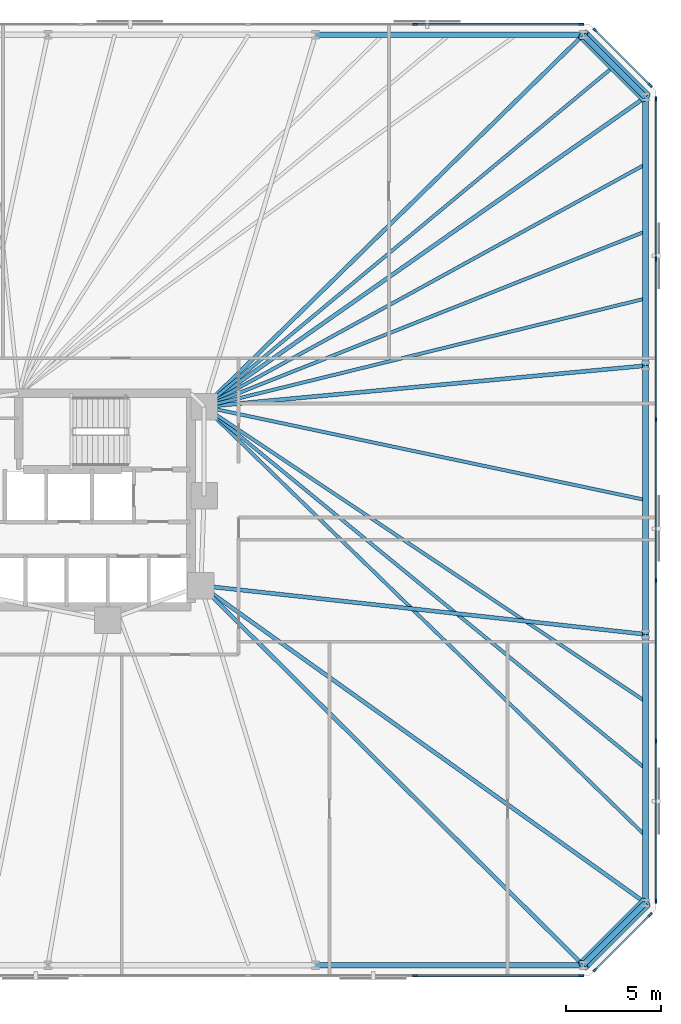
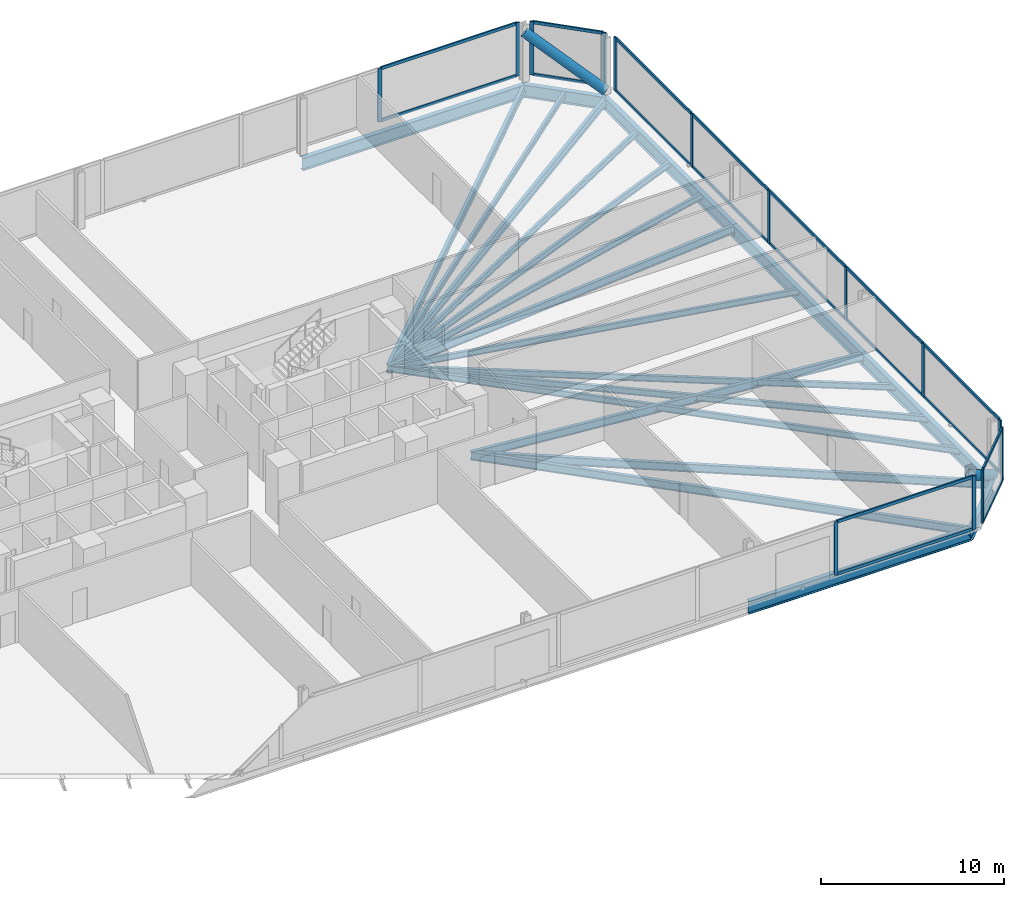
# One storey, part 10 of 17: 34 members, 21 beams, 5 elements without a shape of their own.
"""IFC4 building model written with IfcOpenShell, lengths in metres."""

from ifc_helpers import new_model, si_unit, direction, frame, origin, origin_2d, place, context, subcontext, project, spatial, rectangle, hollow_circle, i_section, extrude, material, material_profile, profile_set, type_object, element, aggregate, save


model = new_model("IFC4")

# Units and contexts
model_context = context("Model", 3, precision=1e-05, world=origin(), true_north=direction((0.0, 1.0)))
body_context = subcontext(model_context, "Body", "Model", "MODEL_VIEW")
ifc_project = project(units=[si_unit("LENGTHUNIT", "METRE"), si_unit("AREAUNIT", "SQUARE_METRE"), si_unit("VOLUMEUNIT", "CUBIC_METRE"), si_unit("PLANEANGLEUNIT", "RADIAN"), si_unit("MASSUNIT", "GRAM", prefix="KILO")], contexts=[model_context])

# Site, building, storey
site_placement = place(None, origin())
site = spatial("IfcSite", under=ifc_project, at=site_placement, CompositionType="ELEMENT")
building_placement = place(site_placement, origin())
building = spatial("IfcBuilding", under=site, at=building_placement, Name="Menara Jurai Vektor", CompositionType="ELEMENT")
storey_placement = place(building_placement, frame((0.0, 0.0, 29.39990234375)))
storey = spatial("IfcBuildingStorey", under=building, at=storey_placement, Name="L06", CompositionType="ELEMENT", Elevation=29.39990234375)

# Curtain wall, members
ifc_material_1 = material(Name="Anodised Pale Aluminium & Low-E Double Glazing", Category="aluminium")
curtain_wall_type = type_object("IfcCurtainWallType", Name="CW-BLK1", PredefinedType="NOTDEFINED", material=ifc_material_1)
curtain_wall_1_placement = place(storey_placement, origin())
curtain_wall_1 = element("IfcCurtainWall", 1, at=curtain_wall_1_placement, inside=storey, type_object=curtain_wall_type, Name="Unitised Curtain Wall L06 F01", PredefinedType="NOTDEFINED")
ifc_material_2 = material(Name="Anodised Pale Aluminium Mullion", Category="aluminium")
ifc_material_profile_1 = material_profile(ifc_material_2, rectangle(XDim=0.094970703125, YDim=0.239990234375, at=origin_2d()), Name="ALU MUL 95x240")
ifc_profile_set_1 = profile_set([ifc_material_profile_1], Name="Anodised Pale Aluminium Mullion")
member_type_1 = type_object("IfcMemberType", Name="CW-BLK1-MUL", PredefinedType="MULLION", material=ifc_profile_set_1)
member_1_placement = place(storey_placement, frame((26.340087890625, -25.0, 0.0), z_axis=(0.0, 0.0, 1.0), x_axis=(0.0, 1.0, 0.0)))
member_1 = element("IfcMember", 2, at=member_1_placement, type_object=member_type_1, Name="CW-01 mullion 8", PredefinedType="MULLION", context=body_context, shape_type="SweptSolid", body=[
    extrude(rectangle(XDim=0.094970703125, YDim=0.239990234375, at=origin_2d()), origin(), (0.0, 0.0, 1.0), 3.5751953125),
])
member_2_placement = place(storey_placement, frame((35.072509765625, -25.0, 0.0), z_axis=(0.0, 0.0, 1.0), x_axis=(0.0, 1.0, 0.0)))
member_2 = element("IfcMember", 3, at=member_2_placement, type_object=member_type_1, Name="CW-01 mullion 9", PredefinedType="MULLION", context=body_context, shape_type="SweptSolid", body=[
    extrude(rectangle(XDim=0.094970703125, YDim=0.239990234375, at=origin_2d()), origin(), (0.0, 0.0, 1.0), 3.5751953125),
])

curtain_wall_2_placement = place(storey_placement, origin())
curtain_wall_2 = element("IfcCurtainWall", 4, at=curtain_wall_2_placement, inside=storey, type_object=curtain_wall_type, Name="Unitised Curtain Wall L06 F02", PredefinedType="NOTDEFINED")
member_3_placement = place(storey_placement, frame((35.80224609375, -24.69775390625, 0.0), z_axis=(0.0, 0.0, 1.0), x_axis=(-0.707106781187, 0.707106781187, 0.0)))
member_3 = element("IfcMember", 5, at=member_3_placement, type_object=member_type_1, Name="CW-01 mullion 1", PredefinedType="MULLION", context=body_context, shape_type="SweptSolid", body=[
    extrude(rectangle(XDim=0.094970703125, YDim=0.239990234375, at=origin_2d()), origin(), (0.0, 0.0, 1.0), 3.5751953125),
])
member_4_placement = place(storey_placement, frame((38.69775390625, -21.80224609375, 0.0), z_axis=(0.0, 0.0, 1.0), x_axis=(-0.707106781187, 0.707106781187, 0.0)))
member_4 = element("IfcMember", 6, at=member_4_placement, type_object=member_type_1, Name="CW-01 mullion 2", PredefinedType="MULLION", context=body_context, shape_type="SweptSolid", body=[
    extrude(rectangle(XDim=0.094970703125, YDim=0.239990234375, at=origin_2d()), origin(), (0.0, 0.0, 1.0), 3.5751953125),
])

curtain_wall_3_placement = place(storey_placement, origin())
curtain_wall_3 = element("IfcCurtainWall", 7, at=curtain_wall_3_placement, inside=storey, type_object=curtain_wall_type, Name="Unitised Curtain Wall L06 F03", PredefinedType="NOTDEFINED")
member_5_placement = place(storey_placement, frame((39.0, -21.072509765625, 0.0), z_axis=(0.0, 0.0, 1.0), x_axis=(-1.0, 0.0, 0.0)))
member_5 = element("IfcMember", 8, at=member_5_placement, type_object=member_type_1, Name="CW-01 mullion 1", PredefinedType="MULLION", context=body_context, shape_type="SweptSolid", body=[
    extrude(rectangle(XDim=0.094970703125, YDim=0.239990234375, at=origin_2d()), origin(), (0.0, 0.0, 1.0), 3.5751953125),
])
member_6_placement = place(storey_placement, frame((39.0, -12.672119140625, 0.0), z_axis=(0.0, 0.0, 1.0), x_axis=(-1.0, 0.0, 0.0)))
member_6 = element("IfcMember", 9, at=member_6_placement, type_object=member_type_1, Name="CW-01 mullion 2", PredefinedType="MULLION", context=body_context, shape_type="SweptSolid", body=[
    extrude(rectangle(XDim=0.094970703125, YDim=0.239990234375, at=origin_2d()), origin(), (0.0, 0.0, 1.0), 3.5751953125),
])
member_7_placement = place(storey_placement, frame((39.0, -4.22412109375, 0.0), z_axis=(0.0, 0.0, 1.0), x_axis=(-1.0, 0.0, 0.0)))
member_7 = element("IfcMember", 10, at=member_7_placement, type_object=member_type_1, Name="CW-01 mullion 3", PredefinedType="MULLION", context=body_context, shape_type="SweptSolid", body=[
    extrude(rectangle(XDim=0.094970703125, YDim=0.239990234375, at=origin_2d()), origin(), (0.0, 0.0, 1.0), 3.5751953125),
])
member_8_placement = place(storey_placement, frame((39.0, 4.22412109375, 0.0), z_axis=(0.0, 0.0, 1.0), x_axis=(-1.0, 0.0, 0.0)))
member_8 = element("IfcMember", 11, at=member_8_placement, type_object=member_type_1, Name="CW-01 mullion 4", PredefinedType="MULLION", context=body_context, shape_type="SweptSolid", body=[
    extrude(rectangle(XDim=0.094970703125, YDim=0.239990234375, at=origin_2d()), origin(), (0.0, 0.0, 1.0), 3.5751953125),
])
member_9_placement = place(storey_placement, frame((39.0, 12.672119140625, 0.0), z_axis=(0.0, 0.0, 1.0), x_axis=(-1.0, 0.0, 0.0)))
member_9 = element("IfcMember", 12, at=member_9_placement, type_object=member_type_1, Name="CW-01 mullion 5", PredefinedType="MULLION", context=body_context, shape_type="SweptSolid", body=[
    extrude(rectangle(XDim=0.094970703125, YDim=0.239990234375, at=origin_2d()), origin(), (0.0, 0.0, 1.0), 3.5751953125),
])
member_10_placement = place(storey_placement, frame((39.0, 21.072509765625, 0.0), z_axis=(0.0, 0.0, 1.0), x_axis=(-1.0, 0.0, 0.0)))
member_10 = element("IfcMember", 13, at=member_10_placement, type_object=member_type_1, Name="CW-01 mullion 6", PredefinedType="MULLION", context=body_context, shape_type="SweptSolid", body=[
    extrude(rectangle(XDim=0.094970703125, YDim=0.239990234375, at=origin_2d()), origin(), (0.0, 0.0, 1.0), 3.5751953125),
])

curtain_wall_4_placement = place(storey_placement, origin())
curtain_wall_4 = element("IfcCurtainWall", 14, at=curtain_wall_4_placement, inside=storey, type_object=curtain_wall_type, Name="Unitised Curtain Wall L06 F04", PredefinedType="NOTDEFINED")
member_11_placement = place(storey_placement, frame((38.69775390625, 21.80224609375, 0.0), z_axis=(0.0, 0.0, 1.0), x_axis=(-0.707106781187, -0.707106781187, 0.0)))
member_11 = element("IfcMember", 15, at=member_11_placement, type_object=member_type_1, Name="CW-01 mullion 1", PredefinedType="MULLION", context=body_context, shape_type="SweptSolid", body=[
    extrude(rectangle(XDim=0.094970703125, YDim=0.239990234375, at=origin_2d()), origin(), (0.0, 0.0, 1.0), 3.5751953125),
])
member_12_placement = place(storey_placement, frame((35.80224609375, 24.69775390625, 0.0), z_axis=(0.0, 0.0, 1.0), x_axis=(-0.707106781187, -0.707106781187, 0.0)))
member_12 = element("IfcMember", 16, at=member_12_placement, type_object=member_type_1, Name="CW-01 mullion 2", PredefinedType="MULLION", context=body_context, shape_type="SweptSolid", body=[
    extrude(rectangle(XDim=0.094970703125, YDim=0.239990234375, at=origin_2d()), origin(), (0.0, 0.0, 1.0), 3.5751953125),
])

curtain_wall_5_placement = place(storey_placement, origin())
curtain_wall_5 = element("IfcCurtainWall", 17, at=curtain_wall_5_placement, inside=storey, type_object=curtain_wall_type, Name="Unitised Curtain Wall L06 F05", PredefinedType="NOTDEFINED")
member_13_placement = place(storey_placement, frame((35.072509765625, 25.0, 0.0), z_axis=(0.0, 0.0, 1.0), x_axis=(0.0, -1.0, 0.0)))
member_13 = element("IfcMember", 18, at=member_13_placement, type_object=member_type_1, Name="CW-01 mullion 1", PredefinedType="MULLION", context=body_context, shape_type="SweptSolid", body=[
    extrude(rectangle(XDim=0.094970703125, YDim=0.239990234375, at=origin_2d()), origin(), (0.0, 0.0, 1.0), 3.5751953125),
])
member_14_placement = place(storey_placement, frame((26.340087890625, 25.0, 0.0), z_axis=(0.0, 0.0, 1.0), x_axis=(0.0, -1.0, 0.0)))
member_14 = element("IfcMember", 19, at=member_14_placement, type_object=member_type_1, Name="CW-01 mullion 2", PredefinedType="MULLION", context=body_context, shape_type="SweptSolid", body=[
    extrude(rectangle(XDim=0.094970703125, YDim=0.239990234375, at=origin_2d()), origin(), (0.0, 0.0, 1.0), 3.5751953125),
])

# Member
ifc_material_3 = material(Name="Anodised Pale Aluminium Transom", Category="aluminium")
ifc_material_profile_2 = material_profile(ifc_material_3, rectangle(XDim=0.094970703125, YDim=0.199951171875, at=origin_2d()), Name="ALU TRN 95x200")
ifc_profile_set_2 = profile_set([ifc_material_profile_2], Name="Anodised Pale Aluminium Transom")
member_type_2 = type_object("IfcMemberType", Name="CW-BLK1-TRN", PredefinedType="USERDEFINED", material=ifc_profile_set_2)
member_15_placement = place(storey_placement, frame((26.387451171875, -25.0, 0.047607421875), z_axis=(1.0, 0.0, 0.0), x_axis=(0.0, 1.0, 0.0)))
member_15 = element("IfcMember", 20, at=member_15_placement, type_object=member_type_2, Name="CW-01 transom 8.1", ObjectType="TRANSOM", PredefinedType="USERDEFINED", context=body_context, shape_type="SweptSolid", body=[
    extrude(rectangle(XDim=0.094970703125, YDim=0.199951171875, at=origin_2d()), origin(), (0.0, 0.0, 1.0), 8.637451171875),
])

member_16_placement = place(storey_placement, frame((26.387451171875, -25.0, 3.527587890625), z_axis=(1.0, 0.0, 0.0), x_axis=(0.0, 1.0, 0.0)))
member_16 = element("IfcMember", 21, at=member_16_placement, type_object=member_type_2, Name="CW-01 transom 8.2", ObjectType="TRANSOM", PredefinedType="USERDEFINED", context=body_context, shape_type="SweptSolid", body=[
    extrude(rectangle(XDim=0.094970703125, YDim=0.199951171875, at=origin_2d()), origin(), (0.0, 0.0, 1.0), 8.637451171875),
])

aggregate(curtain_wall_1, [member_1, member_2, member_15, member_16])

member_17_placement = place(storey_placement, frame((35.8359375, -24.6640625, 0.047607421875), z_axis=(0.707106781187, 0.707106781187, 0.0), x_axis=(-0.707106781187, 0.707106781187, 0.0)))
member_17 = element("IfcMember", 22, at=member_17_placement, type_object=member_type_2, Name="CW-01 transom 1.1", ObjectType="TRANSOM", PredefinedType="USERDEFINED", context=body_context, shape_type="SweptSolid", body=[
    extrude(rectangle(XDim=0.094970703125, YDim=0.199951171875, at=origin_2d()), origin(), (0.0, 0.0, 1.0), 3.99951171875),
])

member_18_placement = place(storey_placement, frame((35.8359375, -24.6640625, 3.527587890625), z_axis=(0.707106781187, 0.707106781187, 0.0), x_axis=(-0.707106781187, 0.707106781187, 0.0)))
member_18 = element("IfcMember", 23, at=member_18_placement, type_object=member_type_2, Name="CW-01 transom 1.2", ObjectType="TRANSOM", PredefinedType="USERDEFINED", context=body_context, shape_type="SweptSolid", body=[
    extrude(rectangle(XDim=0.094970703125, YDim=0.199951171875, at=origin_2d()), origin(), (0.0, 0.0, 1.0), 3.99951171875),
])

aggregate(curtain_wall_2, [member_3, member_4, member_17, member_18])

member_19_placement = place(storey_placement, frame((39.0, -21.02490234375, 0.047607421875), z_axis=(0.0, 1.0, 0.0), x_axis=(-1.0, 0.0, 0.0)))
member_19 = element("IfcMember", 24, at=member_19_placement, type_object=member_type_2, Name="CW-01 transom 1.1", ObjectType="TRANSOM", PredefinedType="USERDEFINED", context=body_context, shape_type="SweptSolid", body=[
    extrude(rectangle(XDim=0.094970703125, YDim=0.199951171875, at=origin_2d()), origin(), (0.0, 0.0, 1.0), 8.305419921875),
])

member_20_placement = place(storey_placement, frame((39.0, -21.02490234375, 3.527587890625), z_axis=(0.0, 1.0, 0.0), x_axis=(-1.0, 0.0, 0.0)))
member_20 = element("IfcMember", 25, at=member_20_placement, type_object=member_type_2, Name="CW-01 transom 1.2", ObjectType="TRANSOM", PredefinedType="USERDEFINED", context=body_context, shape_type="SweptSolid", body=[
    extrude(rectangle(XDim=0.094970703125, YDim=0.199951171875, at=origin_2d()), origin(), (0.0, 0.0, 1.0), 8.305419921875),
])

member_21_placement = place(storey_placement, frame((39.0, -12.62451171875, 0.047607421875), z_axis=(0.0, 1.0, 0.0), x_axis=(-1.0, 0.0, 0.0)))
member_21 = element("IfcMember", 26, at=member_21_placement, type_object=member_type_2, Name="CW-01 transom 2.1", ObjectType="TRANSOM", PredefinedType="USERDEFINED", context=body_context, shape_type="SweptSolid", body=[
    extrude(rectangle(XDim=0.094970703125, YDim=0.199951171875, at=origin_2d()), origin(), (0.0, 0.0, 1.0), 8.35302734375),
])

member_22_placement = place(storey_placement, frame((39.0, -12.62451171875, 3.527587890625), z_axis=(0.0, 1.0, 0.0), x_axis=(-1.0, 0.0, 0.0)))
member_22 = element("IfcMember", 27, at=member_22_placement, type_object=member_type_2, Name="CW-01 transom 2.2", ObjectType="TRANSOM", PredefinedType="USERDEFINED", context=body_context, shape_type="SweptSolid", body=[
    extrude(rectangle(XDim=0.094970703125, YDim=0.199951171875, at=origin_2d()), origin(), (0.0, 0.0, 1.0), 8.35302734375),
])

member_23_placement = place(storey_placement, frame((39.0, -4.176513671875, 0.047607421875), z_axis=(0.0, 1.0, 0.0), x_axis=(-1.0, 0.0, 0.0)))
member_23 = element("IfcMember", 28, at=member_23_placement, type_object=member_type_2, Name="CW-01 transom 3.1", ObjectType="TRANSOM", PredefinedType="USERDEFINED", context=body_context, shape_type="SweptSolid", body=[
    extrude(rectangle(XDim=0.094970703125, YDim=0.199951171875, at=origin_2d()), origin(), (0.0, 0.0, 1.0), 8.35302734375),
])

member_24_placement = place(storey_placement, frame((39.0, -4.176513671875, 3.527587890625), z_axis=(0.0, 1.0, 0.0), x_axis=(-1.0, 0.0, 0.0)))
member_24 = element("IfcMember", 29, at=member_24_placement, type_object=member_type_2, Name="CW-01 transom 3.2", ObjectType="TRANSOM", PredefinedType="USERDEFINED", context=body_context, shape_type="SweptSolid", body=[
    extrude(rectangle(XDim=0.094970703125, YDim=0.199951171875, at=origin_2d()), origin(), (0.0, 0.0, 1.0), 8.35302734375),
])

member_25_placement = place(storey_placement, frame((39.0, 4.271484375, 0.047607421875), z_axis=(0.0, 1.0, 0.0), x_axis=(-1.0, 0.0, 0.0)))
member_25 = element("IfcMember", 30, at=member_25_placement, type_object=member_type_2, Name="CW-01 transom 4.1", ObjectType="TRANSOM", PredefinedType="USERDEFINED", context=body_context, shape_type="SweptSolid", body=[
    extrude(rectangle(XDim=0.094970703125, YDim=0.199951171875, at=origin_2d()), origin(), (0.0, 0.0, 1.0), 8.35302734375),
])

member_26_placement = place(storey_placement, frame((39.0, 4.271484375, 3.527587890625), z_axis=(0.0, 1.0, 0.0), x_axis=(-1.0, 0.0, 0.0)))
member_26 = element("IfcMember", 31, at=member_26_placement, type_object=member_type_2, Name="CW-01 transom 4.2", ObjectType="TRANSOM", PredefinedType="USERDEFINED", context=body_context, shape_type="SweptSolid", body=[
    extrude(rectangle(XDim=0.094970703125, YDim=0.199951171875, at=origin_2d()), origin(), (0.0, 0.0, 1.0), 8.35302734375),
])

member_27_placement = place(storey_placement, frame((39.0, 12.719482421875, 0.047607421875), z_axis=(0.0, 1.0, 0.0), x_axis=(-1.0, 0.0, 0.0)))
member_27 = element("IfcMember", 32, at=member_27_placement, type_object=member_type_2, Name="CW-01 transom 5.1", ObjectType="TRANSOM", PredefinedType="USERDEFINED", context=body_context, shape_type="SweptSolid", body=[
    extrude(rectangle(XDim=0.094970703125, YDim=0.199951171875, at=origin_2d()), origin(), (0.0, 0.0, 1.0), 8.305419921875),
])

member_28_placement = place(storey_placement, frame((39.0, 12.719482421875, 3.527587890625), z_axis=(0.0, 1.0, 0.0), x_axis=(-1.0, 0.0, 0.0)))
member_28 = element("IfcMember", 33, at=member_28_placement, type_object=member_type_2, Name="CW-01 transom 5.2", ObjectType="TRANSOM", PredefinedType="USERDEFINED", context=body_context, shape_type="SweptSolid", body=[
    extrude(rectangle(XDim=0.094970703125, YDim=0.199951171875, at=origin_2d()), origin(), (0.0, 0.0, 1.0), 8.305419921875),
])

aggregate(curtain_wall_3, [member_5, member_6, member_7, member_8, member_9, member_10, member_19, member_20, member_21, member_22, member_23, member_24, member_25, member_26, member_27, member_28])

member_29_placement = place(storey_placement, frame((38.6640625, 21.8359375, 0.047607421875), z_axis=(-0.707106781187, 0.707106781187, 0.0), x_axis=(-0.707106781187, -0.707106781187, 0.0)))
member_29 = element("IfcMember", 34, at=member_29_placement, type_object=member_type_2, Name="CW-01 transom 1.1", ObjectType="TRANSOM", PredefinedType="USERDEFINED", context=body_context, shape_type="SweptSolid", body=[
    extrude(rectangle(XDim=0.094970703125, YDim=0.199951171875, at=origin_2d()), origin(), (0.0, 0.0, 1.0), 3.99951171875),
])

member_30_placement = place(storey_placement, frame((38.6640625, 21.8359375, 3.527587890625), z_axis=(-0.707106781187, 0.707106781187, 0.0), x_axis=(-0.707106781187, -0.707106781187, 0.0)))
member_30 = element("IfcMember", 35, at=member_30_placement, type_object=member_type_2, Name="CW-01 transom 1.2", ObjectType="TRANSOM", PredefinedType="USERDEFINED", context=body_context, shape_type="SweptSolid", body=[
    extrude(rectangle(XDim=0.094970703125, YDim=0.199951171875, at=origin_2d()), origin(), (0.0, 0.0, 1.0), 3.99951171875),
])

aggregate(curtain_wall_4, [member_11, member_12, member_29, member_30])

member_31_placement = place(storey_placement, frame((35.02490234375, 25.0, 0.047607421875), z_axis=(-1.0, 0.0, 0.0), x_axis=(0.0, -1.0, 0.0)))
member_31 = element("IfcMember", 36, at=member_31_placement, type_object=member_type_2, Name="CW-01 transom 1.1", ObjectType="TRANSOM", PredefinedType="USERDEFINED", context=body_context, shape_type="SweptSolid", body=[
    extrude(rectangle(XDim=0.094970703125, YDim=0.199951171875, at=origin_2d()), origin(), (0.0, 0.0, 1.0), 8.637451171875),
])

member_32_placement = place(storey_placement, frame((35.02490234375, 25.0, 3.527587890625), z_axis=(-1.0, 0.0, 0.0), x_axis=(0.0, -1.0, 0.0)))
member_32 = element("IfcMember", 37, at=member_32_placement, type_object=member_type_2, Name="CW-01 transom 1.2", ObjectType="TRANSOM", PredefinedType="USERDEFINED", context=body_context, shape_type="SweptSolid", body=[
    extrude(rectangle(XDim=0.094970703125, YDim=0.199951171875, at=origin_2d()), origin(), (0.0, 0.0, 1.0), 8.637451171875),
])

aggregate(curtain_wall_5, [member_13, member_14, member_31, member_32])

# Beams
ifc_material_4 = material(Name="Steel S355", Category="steel")
ifc_material_profile_3 = material_profile(ifc_material_4, i_section(OverallWidth=0.2109375, OverallDepth=0.5390625, WebThickness=0.011962890625, FlangeThickness=0.01904296875, FilletRadius=0.012939453125, at=origin_2d()), Name="UKB 533x210x109")
ifc_profile_set_3 = profile_set([ifc_material_profile_3], Name="Steel S355")
beam_type_1 = type_object("IfcBeamType", Name="STR-BM-533", PredefinedType="BEAM", material=ifc_profile_set_3)
beam_1_placement = place(storey_placement, frame((35.177734375, -24.449951171875, -0.494384765625), z_axis=(-0.709709931659, 0.704494011972, 0.0), x_axis=(-0.704494011972, -0.709709931659, 0.0)))
element("IfcBeam", 38, at=beam_1_placement, inside=storey, type_object=beam_type_1, Name="Radial Floor Girder L06-S6", PredefinedType="BEAM", context=body_context, shape_type="SweptSolid", body=[
    extrude(i_section(OverallWidth=0.2109375, OverallDepth=0.5390625, WebThickness=0.011962890625, FlangeThickness=0.01904296875, FilletRadius=0.012939453125, at=origin_2d()), origin(), (0.0, 0.0, 1.0), 28.318115234375),
])
beam_2_placement = place(storey_placement, frame((38.449951171875, -21.177734375, -0.494384765625), z_axis=(-0.813981033216, 0.580891450759, 0.0), x_axis=(-0.580891450759, -0.813981033216, 0.0)))
element("IfcBeam", 39, at=beam_2_placement, inside=storey, type_object=beam_type_1, Name="Radial Floor Girder L06-E1", PredefinedType="BEAM", context=body_context, shape_type="SweptSolid", body=[
    extrude(i_section(OverallWidth=0.2109375, OverallDepth=0.5390625, WebThickness=0.011962890625, FlangeThickness=0.01904296875, FilletRadius=0.012939453125, at=origin_2d()), origin(), (0.0, 0.0, 1.0), 28.710693359375),
])
beam_3_placement = place(storey_placement, frame((38.449951171875, -7.059326171875, -0.494384765625), z_axis=(-0.994056757953, 0.108863042253, 0.0), x_axis=(-0.108863042253, -0.994056757953, 0.0)))
element("IfcBeam", 40, at=beam_3_placement, inside=storey, type_object=beam_type_1, Name="Radial Floor Girder L06-E2", PredefinedType="BEAM", context=body_context, shape_type="SweptSolid", body=[
    extrude(i_section(OverallWidth=0.2109375, OverallDepth=0.5390625, WebThickness=0.011962890625, FlangeThickness=0.01904296875, FilletRadius=0.012939453125, at=origin_2d()), origin(), (0.0, 0.0, 1.0), 23.509521484375),
])
beam_4_placement = place(storey_placement, frame((38.449951171875, 7.059326171875, -0.494384765625), z_axis=(-0.995696113112, -0.092678208514, 0.0), x_axis=(0.092678208514, -0.995696113112, 0.0)))
element("IfcBeam", 41, at=beam_4_placement, inside=storey, type_object=beam_type_1, Name="Radial Floor Girder L06-E3", PredefinedType="BEAM", context=body_context, shape_type="SweptSolid", body=[
    extrude(i_section(OverallWidth=0.2109375, OverallDepth=0.5390625, WebThickness=0.011962890625, FlangeThickness=0.01904296875, FilletRadius=0.012939453125, at=origin_2d()), origin(), (0.0, 0.0, 1.0), 23.30029296875),
])
beam_5_placement = place(storey_placement, frame((38.449951171875, 21.177734375, -0.494384765625), z_axis=(-0.818603732445, -0.574358711283, 0.0), x_axis=(0.574358711283, -0.818603732445, 0.0)))
element("IfcBeam", 42, at=beam_5_placement, inside=storey, type_object=beam_type_1, Name="Radial Floor Girder L06-E4", PredefinedType="BEAM", context=body_context, shape_type="SweptSolid", body=[
    extrude(i_section(OverallWidth=0.2109375, OverallDepth=0.5390625, WebThickness=0.011962890625, FlangeThickness=0.01904296875, FilletRadius=0.012939453125, at=origin_2d()), origin(), (0.0, 0.0, 1.0), 28.3408203125),
])
beam_6_placement = place(storey_placement, frame((35.177734375, 24.449951171875, -0.494384765625), z_axis=(-0.713839032855, -0.700309813706, 0.0), x_axis=(0.700309813706, -0.713839032855, 0.0)))
element("IfcBeam", 43, at=beam_6_placement, inside=storey, type_object=beam_type_1, Name="Radial Floor Girder L06-N1", PredefinedType="BEAM", context=body_context, shape_type="SweptSolid", body=[
    extrude(i_section(OverallWidth=0.2109375, OverallDepth=0.5390625, WebThickness=0.011962890625, FlangeThickness=0.01904296875, FilletRadius=0.012939453125, at=origin_2d()), origin(), (0.0, 0.0, 1.0), 27.916259765625),
])

# Members
ifc_material_5 = material(Name="Steel S460", Category="steel")
ifc_material_profile_4 = material_profile(ifc_material_5, hollow_circle(Radius=0.304931640625, WallThickness=0.02490234375, at=origin_2d()), Name="CHS 610x25")
ifc_profile_set_4 = profile_set([ifc_material_profile_4], Name="Steel S460")
member_type_3 = type_object("IfcMemberType", Name="STR-BR-610", PredefinedType="BRACE", material=ifc_profile_set_4)
for number, where, z_axis, x_axis, name in (
    (44, (38.449951171875, -21.177734375, 0.150146484375), (-0.588942422958, -0.588942422958, 0.553438022619), (0.707106781187, -0.707106781187, 0.0), "Exoskeleton Corner Brace L06-1"),
    (45, (38.449951171875, 21.177734375, 0.150146484375), (-0.588942422958, 0.588942422958, 0.553438022619), (-0.707106781187, -0.707106781187, 0.0), "Exoskeleton Corner Brace L06-2"),
):
    element("IfcMember", number, at=place(storey_placement, frame(where, z_axis=z_axis, x_axis=x_axis)), inside=storey, type_object=member_type_3, Name=name, PredefinedType="BRACE", context=body_context, shape_type="SweptSolid", body=[
        extrude(hollow_circle(Radius=0.304931640625, WallThickness=0.02490234375, at=origin_2d()), origin(), (0.0, 0.0, 1.0), 5.55615234375),
    ])

# Beams
ifc_material_profile_5 = material_profile(ifc_material_4, i_section(OverallWidth=0.178955078125, OverallDepth=0.408935546875, WebThickness=0.009033203125, FlangeThickness=0.013916015625, FilletRadius=0.010009765625, at=origin_2d()), Name="UKB 406x178x67")
ifc_profile_set_5 = profile_set([ifc_material_profile_5], Name="Steel S355")
beam_type_2 = type_object("IfcBeamType", Name="STR-JS-406", PredefinedType="JOIST", material=ifc_profile_set_5)
beam_7_placement = place(storey_placement, frame((38.449951171875, -17.648193359375, -0.429443359375), z_axis=(-0.71710942187, 0.696960599363, 0.0), x_axis=(-0.696960599363, -0.71710942187, 0.0)))
element("IfcBeam", 46, at=beam_7_placement, inside=storey, type_object=beam_type_2, Name="Radial Secondary Floor Joist L06-JS08", PredefinedType="JOIST", context=body_context, shape_type="SweptSolid", body=[
    extrude(i_section(OverallWidth=0.178955078125, OverallDepth=0.408935546875, WebThickness=0.009033203125, FlangeThickness=0.013916015625, FilletRadius=0.010009765625, at=origin_2d()), origin(), (0.0, 0.0, 1.0), 32.35205078125),
])
beam_8_placement = place(storey_placement, frame((38.449951171875, -14.118408203125, -0.429443359375), z_axis=(-0.773360118456, 0.633966976413, 0.0), x_axis=(-0.633966976413, -0.773360118456, 0.0)))
element("IfcBeam", 47, at=beam_8_placement, inside=storey, type_object=beam_type_2, Name="Radial Secondary Floor Joist L06-JS09", PredefinedType="JOIST", context=body_context, shape_type="SweptSolid", body=[
    extrude(i_section(OverallWidth=0.178955078125, OverallDepth=0.408935546875, WebThickness=0.009033203125, FlangeThickness=0.013916015625, FilletRadius=0.010009765625, at=origin_2d()), origin(), (0.0, 0.0, 1.0), 29.998779296875),
])
beam_9_placement = place(storey_placement, frame((38.449951171875, -10.5888671875, -0.429443359375), z_axis=(-0.831683872109, 0.555249436627, 0.0), x_axis=(-0.555249436627, -0.831683872109, 0.0)))
element("IfcBeam", 48, at=beam_9_placement, inside=storey, type_object=beam_type_2, Name="Radial Secondary Floor Joist L06-JS10", PredefinedType="JOIST", context=body_context, shape_type="SweptSolid", body=[
    extrude(i_section(OverallWidth=0.178955078125, OverallDepth=0.408935546875, WebThickness=0.009033203125, FlangeThickness=0.013916015625, FilletRadius=0.010009765625, at=origin_2d()), origin(), (0.0, 0.0, 1.0), 27.895263671875),
])
beam_10_placement = place(storey_placement, frame((38.449951171875, 0.0, -0.429443359375), z_axis=(-0.978416084102, 0.206644541109, 0.0), x_axis=(-0.206644541109, -0.978416084102, 0.0)))
element("IfcBeam", 49, at=beam_10_placement, inside=storey, type_object=beam_type_2, Name="Radial Secondary Floor Joist L06-JS11", PredefinedType="JOIST", context=body_context, shape_type="SweptSolid", body=[
    extrude(i_section(OverallWidth=0.178955078125, OverallDepth=0.408935546875, WebThickness=0.009033203125, FlangeThickness=0.013916015625, FilletRadius=0.010009765625, at=origin_2d()), origin(), (0.0, 0.0, 1.0), 23.711669921875),
])
beam_11_placement = place(storey_placement, frame((38.449951171875, 10.5888671875, -0.429443359375), z_axis=(-0.971226234641, -0.238158772976, 0.0), x_axis=(0.238158772976, -0.971226234641, 0.0)))
element("IfcBeam", 50, at=beam_11_placement, inside=storey, type_object=beam_type_2, Name="Radial Secondary Floor Joist L06-JS12", PredefinedType="JOIST", context=body_context, shape_type="SweptSolid", body=[
    extrude(i_section(OverallWidth=0.178955078125, OverallDepth=0.408935546875, WebThickness=0.009033203125, FlangeThickness=0.013916015625, FilletRadius=0.010009765625, at=origin_2d()), origin(), (0.0, 0.0, 1.0), 23.88720703125),
])
beam_12_placement = place(storey_placement, frame((38.449951171875, 14.118408203125, -0.429443359375), z_axis=(-0.929323400723, -0.369266864027, 0.0), x_axis=(0.369266864027, -0.929323400723, 0.0)))
element("IfcBeam", 51, at=beam_12_placement, inside=storey, type_object=beam_type_2, Name="Radial Secondary Floor Joist L06-JS13", PredefinedType="JOIST", context=body_context, shape_type="SweptSolid", body=[
    extrude(i_section(OverallWidth=0.178955078125, OverallDepth=0.408935546875, WebThickness=0.009033203125, FlangeThickness=0.013916015625, FilletRadius=0.010009765625, at=origin_2d()), origin(), (0.0, 0.0, 1.0), 24.96435546875),
])
beam_13_placement = place(storey_placement, frame((38.449951171875, 17.648193359375, -0.429443359375), z_axis=(-0.87640219057, -0.481579900291, 0.0), x_axis=(0.481579900291, -0.87640219057, 0.0)))
element("IfcBeam", 52, at=beam_13_placement, inside=storey, type_object=beam_type_2, Name="Radial Secondary Floor Joist L06-JS14", PredefinedType="JOIST", context=body_context, shape_type="SweptSolid", body=[
    extrude(i_section(OverallWidth=0.178955078125, OverallDepth=0.408935546875, WebThickness=0.009033203125, FlangeThickness=0.013916015625, FilletRadius=0.010009765625, at=origin_2d()), origin(), (0.0, 0.0, 1.0), 26.471923828125),
])
beam_14_placement = place(storey_placement, frame((36.81396484375, 22.81396484375, -0.429443359375), z_axis=(-0.769201173096, -0.639006694259, 0.0), x_axis=(0.639006694259, -0.769201173096, 0.0)))
element("IfcBeam", 53, at=beam_14_placement, inside=storey, type_object=beam_type_2, Name="Radial Secondary Floor Joist L06-JS15", PredefinedType="JOIST", context=body_context, shape_type="SweptSolid", body=[
    extrude(i_section(OverallWidth=0.178955078125, OverallDepth=0.408935546875, WebThickness=0.009033203125, FlangeThickness=0.013916015625, FilletRadius=0.010009765625, at=origin_2d()), origin(), (0.0, 0.0, 1.0), 28.0341796875),
])
ifc_material_profile_6 = material_profile(ifc_material_5, i_section(OverallWidth=0.2939453125, OverallDepth=0.85107421875, WebThickness=0.01611328125, FlangeThickness=0.027099609375, FilletRadius=0.01806640625, at=origin_2d()), Name="UKB 838x292x226")
ifc_profile_set_6 = profile_set([ifc_material_profile_6], Name="Steel S460")
beam_type_3 = type_object("IfcBeamType", Name="STR-SP-838", PredefinedType="SPANDREL", material=ifc_profile_set_6)
beam_15_placement = place(storey_placement, frame((21.106689453125, -24.449951171875, -0.650390625), z_axis=(1.0, 0.0, 0.0), x_axis=(0.0, 1.0, 0.0)))
element("IfcBeam", 54, at=beam_15_placement, inside=storey, type_object=beam_type_3, Name="Exoskeleton Spandrel Beam L06-05", PredefinedType="SPANDREL", context=body_context, shape_type="SweptSolid", body=[
    extrude(i_section(OverallWidth=0.2939453125, OverallDepth=0.85107421875, WebThickness=0.01611328125, FlangeThickness=0.027099609375, FilletRadius=0.01806640625, at=origin_2d()), origin(), (0.0, 0.0, 1.0), 14.071044921875),
])
beam_16_placement = place(storey_placement, frame((35.177734375, -24.449951171875, -0.650390625), z_axis=(0.707106781187, 0.707106781187, 0.0), x_axis=(-0.707106781187, 0.707106781187, 0.0)))
element("IfcBeam", 55, at=beam_16_placement, inside=storey, type_object=beam_type_3, Name="Exoskeleton Spandrel Beam L06-06", PredefinedType="SPANDREL", context=body_context, shape_type="SweptSolid", body=[
    extrude(i_section(OverallWidth=0.2939453125, OverallDepth=0.85107421875, WebThickness=0.01611328125, FlangeThickness=0.027099609375, FilletRadius=0.01806640625, at=origin_2d()), origin(), (0.0, 0.0, 1.0), 4.627685546875),
])
beam_17_placement = place(storey_placement, frame((38.449951171875, -21.177734375, -0.650390625), z_axis=(0.0, 1.0, 0.0), x_axis=(-1.0, 0.0, 0.0)))
element("IfcBeam", 56, at=beam_17_placement, inside=storey, type_object=beam_type_3, Name="Exoskeleton Spandrel Beam L06-07", PredefinedType="SPANDREL", context=body_context, shape_type="SweptSolid", body=[
    extrude(i_section(OverallWidth=0.2939453125, OverallDepth=0.85107421875, WebThickness=0.01611328125, FlangeThickness=0.027099609375, FilletRadius=0.01806640625, at=origin_2d()), origin(), (0.0, 0.0, 1.0), 14.118408203125),
])
beam_18_placement = place(storey_placement, frame((38.449951171875, -7.059326171875, -0.650390625), z_axis=(0.0, 1.0, 0.0), x_axis=(-1.0, 0.0, 0.0)))
element("IfcBeam", 57, at=beam_18_placement, inside=storey, type_object=beam_type_3, Name="Exoskeleton Spandrel Beam L06-08", PredefinedType="SPANDREL", context=body_context, shape_type="SweptSolid", body=[
    extrude(i_section(OverallWidth=0.2939453125, OverallDepth=0.85107421875, WebThickness=0.01611328125, FlangeThickness=0.027099609375, FilletRadius=0.01806640625, at=origin_2d()), origin(), (0.0, 0.0, 1.0), 14.11865234375),
])
beam_19_placement = place(storey_placement, frame((38.449951171875, 7.059326171875, -0.650390625), z_axis=(0.0, 1.0, 0.0), x_axis=(-1.0, 0.0, 0.0)))
element("IfcBeam", 58, at=beam_19_placement, inside=storey, type_object=beam_type_3, Name="Exoskeleton Spandrel Beam L06-09", PredefinedType="SPANDREL", context=body_context, shape_type="SweptSolid", body=[
    extrude(i_section(OverallWidth=0.2939453125, OverallDepth=0.85107421875, WebThickness=0.01611328125, FlangeThickness=0.027099609375, FilletRadius=0.01806640625, at=origin_2d()), origin(), (0.0, 0.0, 1.0), 14.118408203125),
])
beam_20_placement = place(storey_placement, frame((38.449951171875, 21.177734375, -0.650390625), z_axis=(-0.707106781187, 0.707106781187, 0.0), x_axis=(-0.707106781187, -0.707106781187, 0.0)))
element("IfcBeam", 59, at=beam_20_placement, inside=storey, type_object=beam_type_3, Name="Exoskeleton Spandrel Beam L06-10", PredefinedType="SPANDREL", context=body_context, shape_type="SweptSolid", body=[
    extrude(i_section(OverallWidth=0.2939453125, OverallDepth=0.85107421875, WebThickness=0.01611328125, FlangeThickness=0.027099609375, FilletRadius=0.01806640625, at=origin_2d()), origin(), (0.0, 0.0, 1.0), 4.627685546875),
])
beam_21_placement = place(storey_placement, frame((35.177734375, 24.449951171875, -0.650390625), z_axis=(-1.0, 0.0, 0.0), x_axis=(0.0, -1.0, 0.0)))
element("IfcBeam", 60, at=beam_21_placement, inside=storey, type_object=beam_type_3, Name="Exoskeleton Spandrel Beam L06-11", PredefinedType="SPANDREL", context=body_context, shape_type="SweptSolid", body=[
    extrude(i_section(OverallWidth=0.2939453125, OverallDepth=0.85107421875, WebThickness=0.01611328125, FlangeThickness=0.027099609375, FilletRadius=0.01806640625, at=origin_2d()), origin(), (0.0, 0.0, 1.0), 14.071044921875),
])

save(model, "model.ifc")
